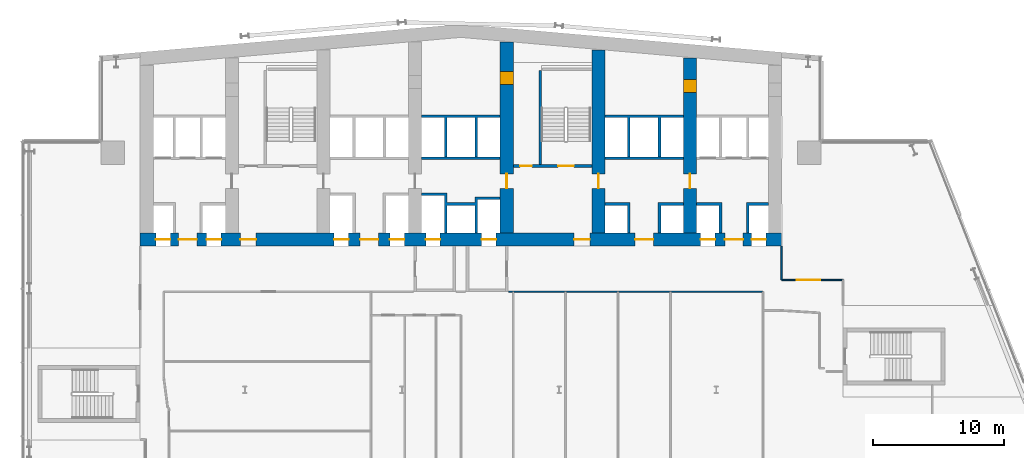
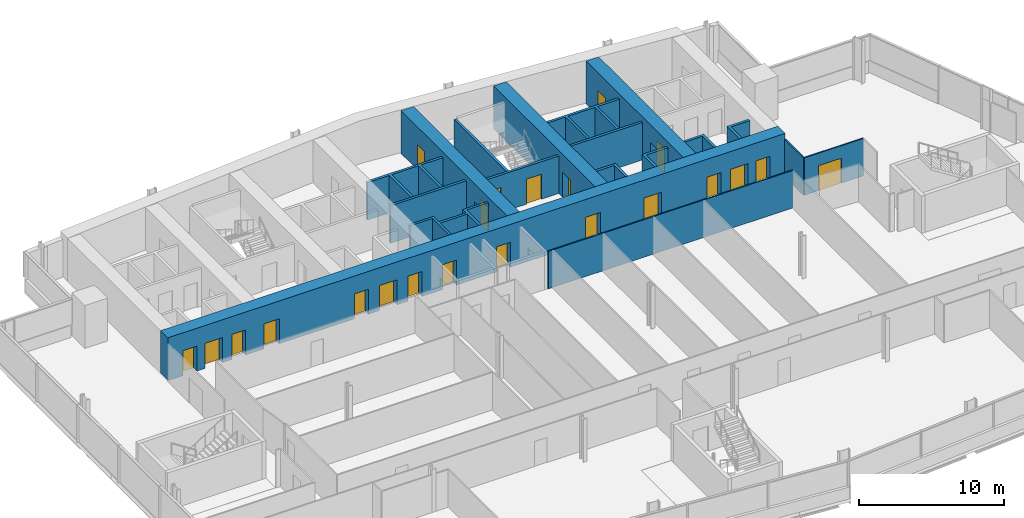
# One storey, part 18 of 25: 22 doors, 18 walls, 22 openings.
"""IFC4 building model written with IfcOpenShell, lengths in metres."""

import ifcopenshell
import ifcopenshell.guid

model = None  # the IFC model being written
_history = None  # IfcOwnerHistory: only IFC2X3 demands one
_inside = {}  # id of a spatial element -> (the spatial element, [elements in it])
_under = {}  # id of a project, library or spatial element -> (it, [spatial elements below it])
_declared = {}  # id of a project -> (the project, [libraries it declares])
_typed = {}  # id of a type object -> (the type object, [elements of that type])
_made_of = {}  # id of a material, layer set ... -> (it, [elements and type objects made of it])


def new_model(schema):
    """Start an empty IFC model of exactly this schema.

    Asked for "IFC4X3", IfcOpenShell would pick the latest addendum, in which some entities
    have other attributes; the version numbers below select the first issue.
    IFC2X3 requires an IfcOwnerHistory on every rooted entity: one is made here for all.
    """
    global model, _history
    if schema == "IFC4X3":
        model = ifcopenshell.file(schema_version=(4, 3, 0, 0))
    else:
        model = ifcopenshell.file(schema=schema)
    _inside.clear()
    _under.clear()
    _declared.clear()
    _typed.clear()
    _made_of.clear()
    _history = None
    if model.schema == "IFC2X3":
        org = make("IfcOrganization", Name="unknown")
        user = make(
            "IfcPersonAndOrganization",
            ThePerson=make("IfcPerson", FamilyName="unknown"),
            TheOrganization=org,
        )
        app = make(
            "IfcApplication",
            ApplicationDeveloper=org,
            Version="unknown",
            ApplicationFullName="unknown",
            ApplicationIdentifier="unknown",
        )
        _history = make(
            "IfcOwnerHistory",
            OwningUser=user,
            OwningApplication=app,
            ChangeAction="ADDED",
            CreationDate=0,
        )
    return model


def make(cls, **values):
    """One entity of the class cls with the attributes given. An attribute that is None is left unset."""
    return model.create_entity(
        cls, **{name: value for name, value in values.items() if value is not None}
    )


def rooted(cls, **values):
    """An entity with a GlobalId (a new one), such as an element, a storey or a relation."""
    return make(cls, GlobalId=ifcopenshell.guid.new(), OwnerHistory=_history, **values)


def si_unit(unit_type, name, prefix=None):
    """IfcSIUnit, for example si_unit("LENGTHUNIT", "METRE", prefix="MILLI")."""
    return make("IfcSIUnit", UnitType=unit_type, Prefix=prefix, Name=name)


def assignment(units):
    """IfcUnitAssignment: the units of a project."""
    return None if units is None else make("IfcUnitAssignment", Units=units)


def point(xyz):
    """IfcCartesianPoint."""
    return None if xyz is None else make("IfcCartesianPoint", Coordinates=xyz)


def direction(xyz):
    """IfcDirection."""
    return None if xyz is None else make("IfcDirection", DirectionRatios=xyz)


def frame(location, z_axis=None, x_axis=None):
    """IfcAxis2Placement3D, a coordinate frame: its origin and axes. An axis left out is left unset."""
    return make(
        "IfcAxis2Placement3D",
        Location=point(location),
        Axis=direction(z_axis),
        RefDirection=direction(x_axis),
    )


def frame_2d(location, x_axis=None):
    """IfcAxis2Placement2D, a coordinate frame in the plane: its origin and x axis."""
    return make(
        "IfcAxis2Placement2D", Location=point(location), RefDirection=direction(x_axis)
    )


def origin():
    """The frame at (0, 0, 0) with its axes left unset."""
    return frame((0.0, 0.0, 0.0))


def place(relative_to, where):
    """IfcLocalPlacement: puts the frame where relative to a parent placement (None: the world)."""
    return make(
        "IfcLocalPlacement", PlacementRelTo=relative_to, RelativePlacement=where
    )


def context(
    kind, dimensions, precision=None, world=None, true_north=None, identifier=None
):
    """IfcGeometricRepresentationContext, for example the 3D "Model" context."""
    return make(
        "IfcGeometricRepresentationContext",
        ContextIdentifier=identifier,
        ContextType=kind,
        CoordinateSpaceDimension=dimensions,
        Precision=precision,
        WorldCoordinateSystem=world,
        TrueNorth=true_north,
    )


def subcontext(parent, identifier, kind, view, scale=None):
    """IfcGeometricRepresentationSubContext, for example "Body" below "Model"."""
    return make(
        "IfcGeometricRepresentationSubContext",
        ContextIdentifier=identifier,
        ContextType=kind,
        ParentContext=parent,
        TargetScale=scale,
        TargetView=view,
    )


def project(units=None, contexts=None):
    """IfcProject with its units and contexts."""
    return rooted(
        "IfcProject",
        Name="project",
        RepresentationContexts=contexts,
        UnitsInContext=assignment(units),
    )


def spatial(cls, under=None, at=None, **own):
    """A site, building, storey or space (cls), placed at a placement, below another one or the project."""
    s = rooted(cls, ObjectPlacement=at, **own)
    if under is not None:
        _under.setdefault(under.id(), (under, []))[1].append(s)
    return s


def polyline(points):
    """IfcPolyline through the points."""
    return make("IfcPolyline", Points=[point(p) for p in points])


def profile(cls, at=None, kind="AREA", **sizes):
    """A parametric profile (cls). Its sizes go by their IFC names, for example OverallWidth=200.0."""
    return make(cls, ProfileType=kind, Position=at, **sizes)


def rectangle(**sizes):
    """IfcRectangleProfileDef."""
    return profile("IfcRectangleProfileDef", **sizes)


def outline(outer, holes=None, kind="AREA"):
    """IfcArbitraryClosedProfileDef: a profile drawn as a closed curve; with holes, ...WithVoids."""
    if holes is None:
        return make("IfcArbitraryClosedProfileDef", ProfileType=kind, OuterCurve=outer)
    return make(
        "IfcArbitraryProfileDefWithVoids",
        ProfileType=kind,
        OuterCurve=outer,
        InnerCurves=holes,
    )


def extrude(swept, where, along, depth):
    """IfcExtrudedAreaSolid: the profile swept, set in the frame where, extruded along a direction by depth."""
    return make(
        "IfcExtrudedAreaSolid",
        SweptArea=swept,
        Position=where,
        ExtrudedDirection=direction(along),
        Depth=depth,
    )


def shape(context_of_items, identifier, shape_type, items):
    """IfcShapeRepresentation: the items that make up one representation, for example the "Body"."""
    return make(
        "IfcShapeRepresentation",
        ContextOfItems=context_of_items,
        RepresentationIdentifier=identifier,
        RepresentationType=shape_type,
        Items=items,
    )


def material(Name=None, Category=None):
    """IfcMaterial."""
    return make("IfcMaterial", Name=Name, Category=Category)


def layer(
    of_material, thickness, ventilated=None, Name=None, Category=None, Priority=None
):
    """IfcMaterialLayer: one layer of a wall or slab, of a material (None: an air gap)."""
    return make(
        "IfcMaterialLayer",
        Material=of_material,
        LayerThickness=thickness,
        IsVentilated=ventilated,
        Name=Name,
        Category=Category,
        Priority=Priority,
    )


def layer_set(layers, Name=None):
    """IfcMaterialLayerSet."""
    return make("IfcMaterialLayerSet", MaterialLayers=layers, LayerSetName=Name)


def made_of(thing, what):
    """Note that an element or type object is made of a material, layer set ...; save() writes the relation."""
    if what is not None:
        _made_of.setdefault(what.id(), (what, []))[1].append(thing)
    return thing


def type_object(cls, material=None, **own):
    """A type object (cls), such as IfcWallType, which elements share."""
    return made_of(rooted(cls, **own), material)


def element(
    cls,
    number,
    at=None,
    inside=None,
    cuts=None,
    type_object=None,
    material=None,
    context=None,
    identifier="Body",
    shape_type=None,
    held_by="IfcProductDefinitionShape",
    body=None,
    shapes=None,
    **own,
):
    """One element of the class cls, such as IfcWall. Its Tag is "e" and its number.

    at: its placement. inside: the storey or other place that contains it. cuts: it is an
    opening in that element (IfcRelVoidsElement). A single representation is given by context,
    identifier, shape_type and body (its items); several are given by shapes. held_by: the class
    of the entity that holds the representations. save() writes the other relations.
    """
    e = rooted(cls, Tag="e%d" % number, ObjectPlacement=at, **own)
    if body is not None:
        shapes = [shape(context, identifier, shape_type, body)]
    if shapes is not None:
        e.Representation = make(held_by, Representations=shapes)
    if inside is not None:
        _inside.setdefault(inside.id(), (inside, []))[1].append(e)
    if cuts is not None:
        rooted(
            "IfcRelVoidsElement", RelatingBuildingElement=cuts, RelatedOpeningElement=e
        )
    if type_object is not None:
        _typed.setdefault(type_object.id(), (type_object, []))[1].append(e)
    return made_of(e, material)


def fill(opening, filler):
    """IfcRelFillsElement: the door or window that sits in an opening."""
    return rooted(
        "IfcRelFillsElement",
        RelatingOpeningElement=opening,
        RelatedBuildingElement=filler,
    )


def aggregate(whole, parts):
    """IfcRelAggregates: a whole, such as a stair, and the parts it consists of."""
    return rooted("IfcRelAggregates", RelatingObject=whole, RelatedObjects=parts)


def save(model, path):
    """Write the relations noted so far, then the file.

    IfcRelAggregates (storeys below a building ...), IfcRelContainedInSpatialStructure (elements
    in a storey), IfcRelDefinesByType, IfcRelAssociatesMaterial and IfcRelDeclares: one each for
    every whole, place, type object, material and project.
    """
    for whole, parts in _under.values():
        aggregate(whole, parts)
    for where, things in _inside.values():
        rooted(
            "IfcRelContainedInSpatialStructure",
            RelatedElements=things,
            RelatingStructure=where,
        )
    for kind, things in _typed.values():
        rooted("IfcRelDefinesByType", RelatedObjects=things, RelatingType=kind)
    for what, things in _made_of.values():
        rooted("IfcRelAssociatesMaterial", RelatedObjects=things, RelatingMaterial=what)
    for by, libraries in _declared.values():
        rooted("IfcRelDeclares", RelatingContext=by, RelatedDefinitions=libraries)
    model.write(path)


model = new_model("IFC4")

# Units and contexts
model_context = context("Model", 3, precision=1e-05, world=origin(), true_north=direction((0.0, 1.0)))
body_context = subcontext(model_context, "Body", "Model", "MODEL_VIEW")
ifc_project = project(units=[si_unit("LENGTHUNIT", "METRE"), si_unit("AREAUNIT", "SQUARE_METRE"), si_unit("VOLUMEUNIT", "CUBIC_METRE"), si_unit("PLANEANGLEUNIT", "RADIAN"), si_unit("MASSUNIT", "GRAM", prefix="KILO")], contexts=[model_context])

# Site, building, storey
site_placement = place(None, origin())
site = spatial("IfcSite", under=ifc_project, at=site_placement, CompositionType="ELEMENT")
building_placement = place(site_placement, origin())
building = spatial("IfcBuilding", under=site, at=building_placement, Name="Wharfspan Tower", CompositionType="ELEMENT")
storey_placement = place(building_placement, frame((0.0, 0.0, 143.5)))
storey = spatial("IfcBuildingStorey", under=building, at=storey_placement, Name="L34", CompositionType="ELEMENT", Elevation=143.5)

# Wall
ifc_material_1 = material(Name="Gypsum board on steel studs", Category="steel")
ifc_layer_1 = layer(ifc_material_1, 0.100098)
ifc_layer_set_1 = layer_set([ifc_layer_1], Name="Gypsum board on steel studs")
wall_type_1 = type_object("IfcWallType", Name="Compartment wall 100 EI 60", PredefinedType="PARTITIONING", material=ifc_layer_set_1)
wall_1_placement = place(storey_placement, frame((65.0, 31.399902, 0.0), z_axis=(0.0, 0.0, 1.0), x_axis=(0.0, 1.0, 0.0)))
element("IfcWall", 1, at=wall_1_placement, inside=storey, type_object=wall_type_1, Name="Partition L34.w037", PredefinedType="PARTITIONING", context=body_context, shape_type="SweptSolid", body=[
    extrude(rectangle(XDim=2.580078, YDim=0.100098, at=frame_2d((1.290039, 0.0))), origin(), (0.0, 0.0, 1.0), 3.149902),
])

# Wall, opening, door
wall_2_placement = place(storey_placement, frame((65.0, 31.399902, 0.0), z_axis=(0.0, 0.0, 1.0), x_axis=(1.0, 0.0, 0.0)))
wall_2 = element("IfcWall", 2, at=wall_2_placement, inside=storey, type_object=wall_type_1, Name="Partition L34.w038", PredefinedType="PARTITIONING", context=body_context, shape_type="SweptSolid", body=[
    extrude(rectangle(XDim=4.689941, YDim=0.100098, at=frame_2d((2.344971, 0.0))), origin(), (0.0, 0.0, 1.0), 3.149902),
])
opening_1_placement = place(wall_2_placement, frame((1.139893, 0.0, 0.0)))
opening_1 = element("IfcOpeningElement", 3, at=opening_1_placement, cuts=wall_2, Name="Opening B6-21", PredefinedType="OPENING", context=body_context, shape_type="SweptSolid", body=[
    extrude(rectangle(XDim=1.800049, YDim=2.100098, at=frame_2d((0.899902, 1.050049))), frame((0.0, 0.060059, 0.0), z_axis=(0.0, -1.0, 0.0), x_axis=(1.0, 0.0, 0.0)), (0.0, 0.0, 1.0), 0.120117),
])
ifc_material_2 = material(Name="Fire-rated timber door leaf in steel frame", Category="steel")
door_type_1 = type_object("IfcDoorType", Name="Door 1800 FD30S Double", OperationType="DOUBLE_DOOR_SINGLE_SWING", PredefinedType="DOOR", material=ifc_material_2)
door_1_placement = place(opening_1_placement, origin())
door_1 = element("IfcDoor", 4, at=door_1_placement, inside=storey, type_object=door_type_1, Name="Door B6-21", OperationType="DOUBLE_DOOR_SINGLE_SWING", OverallHeight=2.100098, OverallWidth=1.800049, PredefinedType="DOOR", context=body_context, shape_type="SweptSolid", body=[
    extrude(rectangle(XDim=1.800049, YDim=2.100098, at=frame_2d((0.899902, 1.050049))), frame((0.0, 0.024902, 0.0), z_axis=(0.0, -1.0, 0.0), x_axis=(1.0, 0.0, 0.0)), (0.0, 0.0, 1.0), 0.050049),
])
fill(opening_1, door_1)

# Wall
wall_3_placement = place(storey_placement, frame((44.149902, 30.5, 0.0), z_axis=(0.0, 0.0, 1.0), x_axis=(1.0, 0.0, 0.0)))
element("IfcWall", 5, at=wall_3_placement, inside=storey, type_object=wall_type_1, Name="Partition L34.w010 (3)", PredefinedType="PARTITIONING", context=body_context, shape_type="SweptSolid", body=[
    extrude(rectangle(XDim=19.425049, YDim=0.100098, at=frame_2d((9.712402, 0.0))), origin(), (0.0, 0.0, 1.0), 3.149902),
])

# Wall, openings, doors
ifc_material_3 = material(Name="Concrete C70/85", Category="concrete")
ifc_layer_2 = layer(ifc_material_3, 1.0)
ifc_layer_set_2 = layer_set([ifc_layer_2], Name="Concrete C70/85")
wall_type_2 = type_object("IfcWallType", Name="Core wall 1000 C70/85", PredefinedType="SHEAR", material=ifc_layer_set_2)
wall_4_placement = place(storey_placement, frame((16.0, 34.5, 0.0), z_axis=(0.0, 0.0, 1.0), x_axis=(1.0, 0.0, 0.0)))
wall_4 = element("IfcWall", 6, at=wall_4_placement, inside=storey, type_object=wall_type_2, Name="Core front wall L34", PredefinedType="SHEAR", context=body_context, shape_type="SweptSolid", body=[
    extrude(rectangle(XDim=49.0, YDim=1.0, at=frame_2d((24.5, 0.0))), origin(), (0.0, 0.0, 1.0), 3.600098),
])
opening_2_placement = place(wall_4_placement, frame((1.199951, 0.0, 0.0)))
opening_2 = element("IfcOpeningElement", 7, at=opening_2_placement, cuts=wall_4, Name="Opening LD.LA1.L34", PredefinedType="OPENING", context=body_context, shape_type="SweptSolid", body=[
    extrude(rectangle(XDim=1.100098, YDim=2.100098, at=frame_2d((0.550049, 1.050049))), frame((0.0, 0.51001, 0.0), z_axis=(0.0, -1.0, 0.0), x_axis=(1.0, 0.0, 0.0)), (0.0, 0.0, 1.0), 1.02002),
])
opening_3_placement = place(wall_4_placement, frame((5.083252, 0.0, 0.0)))
opening_3 = element("IfcOpeningElement", 8, at=opening_3_placement, cuts=wall_4, Name="Opening LD.LA2.L34", PredefinedType="OPENING", context=body_context, shape_type="SweptSolid", body=[
    extrude(rectangle(XDim=1.100098, YDim=2.100098, at=frame_2d((0.550049, 1.050049))), frame((0.0, 0.51001, 0.0), z_axis=(0.0, -1.0, 0.0), x_axis=(1.0, 0.0, 0.0)), (0.0, 0.0, 1.0), 1.02002),
])
opening_4_placement = place(wall_4_placement, frame((2.93335, 0.0, 0.0)))
opening_4 = element("IfcOpeningElement", 9, at=opening_4_placement, cuts=wall_4, Name="Opening HD34.1", PredefinedType="OPENING", context=body_context, shape_type="SweptSolid", body=[
    extrude(rectangle(XDim=1.399902, YDim=2.100098, at=frame_2d((0.699951, 1.050049))), frame((0.0, 0.51001, 0.0), z_axis=(0.0, -1.0, 0.0), x_axis=(1.0, 0.0, 0.0)), (0.0, 0.0, 1.0), 1.02002),
])
opening_5_placement = place(wall_4_placement, frame((7.649902, 0.0, 0.0)))
opening_5 = element("IfcOpeningElement", 10, at=opening_5_placement, cuts=wall_4, Name="Opening SV2.L34", PredefinedType="OPENING", context=body_context, shape_type="SweptSolid", body=[
    extrude(rectangle(XDim=1.199951, YDim=2.100098, at=frame_2d((0.600098, 1.050049))), frame((0.0, 0.51001, 0.0), z_axis=(0.0, -1.0, 0.0), x_axis=(1.0, 0.0, 0.0)), (0.0, 0.0, 1.0), 1.02002),
])
opening_6_placement = place(wall_4_placement, frame((14.81665, 0.0, 0.0)))
opening_6 = element("IfcOpeningElement", 11, at=opening_6_placement, cuts=wall_4, Name="Opening LD.SL1.L34", PredefinedType="OPENING", context=body_context, shape_type="SweptSolid", body=[
    extrude(rectangle(XDim=1.100098, YDim=2.100098, at=frame_2d((0.550049, 1.050049))), frame((0.0, 0.51001, 0.0), z_axis=(0.0, -1.0, 0.0), x_axis=(1.0, 0.0, 0.0)), (0.0, 0.0, 1.0), 1.02002),
])
opening_7_placement = place(wall_4_placement, frame((19.083252, 0.0, 0.0)))
opening_7 = element("IfcOpeningElement", 12, at=opening_7_placement, cuts=wall_4, Name="Opening LD.SL2.L34", PredefinedType="OPENING", context=body_context, shape_type="SweptSolid", body=[
    extrude(rectangle(XDim=1.100098, YDim=2.100098, at=frame_2d((0.550049, 1.050049))), frame((0.0, 0.51001, 0.0), z_axis=(0.0, -1.0, 0.0), x_axis=(1.0, 0.0, 0.0)), (0.0, 0.0, 1.0), 1.02002),
])
opening_8_placement = place(wall_4_placement, frame((16.800049, 0.0, 0.0)))
opening_8 = element("IfcOpeningElement", 13, at=opening_8_placement, cuts=wall_4, Name="Opening HD34.3", PredefinedType="OPENING", context=body_context, shape_type="SweptSolid", body=[
    extrude(rectangle(XDim=1.399902, YDim=2.100098, at=frame_2d((0.699951, 1.050049))), frame((0.0, 0.51001, 0.0), z_axis=(0.0, -1.0, 0.0), x_axis=(1.0, 0.0, 0.0)), (0.0, 0.0, 1.0), 1.02002),
])
opening_9_placement = place(wall_4_placement, frame((21.81665, 0.0, 0.0)))
opening_9 = element("IfcOpeningElement", 14, at=opening_9_placement, cuts=wall_4, Name="Opening LD.FF1.L34", PredefinedType="OPENING", context=body_context, shape_type="SweptSolid", body=[
    extrude(rectangle(XDim=1.100098, YDim=2.100098, at=frame_2d((0.550049, 1.050049))), frame((0.0, 0.51001, 0.0), z_axis=(0.0, -1.0, 0.0), x_axis=(1.0, 0.0, 0.0)), (0.0, 0.0, 1.0), 1.02002),
])
opening_10_placement = place(wall_4_placement, frame((26.083252, 0.0, 0.0)))
opening_10 = element("IfcOpeningElement", 15, at=opening_10_placement, cuts=wall_4, Name="Opening LD.FF2.L34", PredefinedType="OPENING", context=body_context, shape_type="SweptSolid", body=[
    extrude(rectangle(XDim=1.100098, YDim=2.100098, at=frame_2d((0.550049, 1.050049))), frame((0.0, 0.51001, 0.0), z_axis=(0.0, -1.0, 0.0), x_axis=(1.0, 0.0, 0.0)), (0.0, 0.0, 1.0), 1.02002),
])
opening_11_placement = place(wall_4_placement, frame((33.149902, 0.0, 0.0)))
opening_11 = element("IfcOpeningElement", 16, at=opening_11_placement, cuts=wall_4, Name="Opening SV5.L34", PredefinedType="OPENING", context=body_context, shape_type="SweptSolid", body=[
    extrude(rectangle(XDim=1.199951, YDim=2.100098, at=frame_2d((0.600098, 1.050049))), frame((0.0, 0.51001, 0.0), z_axis=(0.0, -1.0, 0.0), x_axis=(1.0, 0.0, 0.0)), (0.0, 0.0, 1.0), 1.02002),
])
opening_12_placement = place(wall_4_placement, frame((37.800049, 0.0, 0.0)))
opening_12 = element("IfcOpeningElement", 17, at=opening_12_placement, cuts=wall_4, Name="Opening HD34.6", PredefinedType="OPENING", context=body_context, shape_type="SweptSolid", body=[
    extrude(rectangle(XDim=1.399902, YDim=2.100098, at=frame_2d((0.699951, 1.050049))), frame((0.0, 0.51001, 0.0), z_axis=(0.0, -1.0, 0.0), x_axis=(1.0, 0.0, 0.0)), (0.0, 0.0, 1.0), 1.02002),
])
opening_13_placement = place(wall_4_placement, frame((42.81665, 0.0, 0.0)))
opening_13 = element("IfcOpeningElement", 18, at=opening_13_placement, cuts=wall_4, Name="Opening LD.LA6.L34", PredefinedType="OPENING", context=body_context, shape_type="SweptSolid", body=[
    extrude(rectangle(XDim=1.100098, YDim=2.100098, at=frame_2d((0.550049, 1.050049))), frame((0.0, 0.51001, 0.0), z_axis=(0.0, -1.0, 0.0), x_axis=(1.0, 0.0, 0.0)), (0.0, 0.0, 1.0), 1.02002),
])
opening_14_placement = place(wall_4_placement, frame((46.699951, 0.0, 0.0)))
opening_14 = element("IfcOpeningElement", 19, at=opening_14_placement, cuts=wall_4, Name="Opening LD.LA7.L34", PredefinedType="OPENING", context=body_context, shape_type="SweptSolid", body=[
    extrude(rectangle(XDim=1.100098, YDim=2.100098, at=frame_2d((0.550049, 1.050049))), frame((0.0, 0.51001, 0.0), z_axis=(0.0, -1.0, 0.0), x_axis=(1.0, 0.0, 0.0)), (0.0, 0.0, 1.0), 1.02002),
])
opening_15_placement = place(wall_4_placement, frame((44.666748, 0.0, 0.0)))
opening_15 = element("IfcOpeningElement", 20, at=opening_15_placement, cuts=wall_4, Name="Opening HD34.7", PredefinedType="OPENING", context=body_context, shape_type="SweptSolid", body=[
    extrude(rectangle(XDim=1.399902, YDim=2.100098, at=frame_2d((0.699951, 1.050049))), frame((0.0, 0.51001, 0.0), z_axis=(0.0, -1.0, 0.0), x_axis=(1.0, 0.0, 0.0)), (0.0, 0.0, 1.0), 1.02002),
])
ifc_material_4 = material(Name="Steel door leaf", Category="steel")
door_type_2 = type_object("IfcDoorType", Name="Hall entry door 1400x2100", OperationType="DOUBLE_DOOR_SINGLE_SWING", PredefinedType="DOOR", material=ifc_material_4)
door_2_placement = place(opening_4_placement, origin())
door_2 = element("IfcDoor", 21, at=door_2_placement, inside=storey, type_object=door_type_2, Name="d:L34:1:hd1", OperationType="DOUBLE_DOOR_SINGLE_SWING", OverallHeight=2.100098, OverallWidth=1.399902, PredefinedType="DOOR", context=body_context, shape_type="SweptSolid", body=[
    extrude(rectangle(XDim=1.399902, YDim=2.100098, at=frame_2d((0.699951, 1.050049))), frame((0.0, 0.024902, 0.0), z_axis=(0.0, -1.0, 0.0), x_axis=(1.0, 0.0, 0.0)), (0.0, 0.0, 1.0), 0.050049),
])
fill(opening_4, door_2)
door_3_placement = place(opening_8_placement, origin())
door_3 = element("IfcDoor", 22, at=door_3_placement, inside=storey, type_object=door_type_2, Name="d:L34:3:hd3", OperationType="DOUBLE_DOOR_SINGLE_SWING", OverallHeight=2.100098, OverallWidth=1.399902, PredefinedType="DOOR", context=body_context, shape_type="SweptSolid", body=[
    extrude(rectangle(XDim=1.399902, YDim=2.100098, at=frame_2d((0.699951, 1.050049))), frame((0.0, 0.024902, 0.0), z_axis=(0.0, -1.0, 0.0), x_axis=(1.0, 0.0, 0.0)), (0.0, 0.0, 1.0), 0.050049),
])
fill(opening_8, door_3)
door_4_placement = place(opening_12_placement, origin())
door_4 = element("IfcDoor", 23, at=door_4_placement, inside=storey, type_object=door_type_2, Name="d:L34:6:hd6", OperationType="DOUBLE_DOOR_SINGLE_SWING", OverallHeight=2.100098, OverallWidth=1.399902, PredefinedType="DOOR", context=body_context, shape_type="SweptSolid", body=[
    extrude(rectangle(XDim=1.399902, YDim=2.100098, at=frame_2d((0.699951, 1.050049))), frame((0.0, 0.024902, 0.0), z_axis=(0.0, -1.0, 0.0), x_axis=(1.0, 0.0, 0.0)), (0.0, 0.0, 1.0), 0.050049),
])
fill(opening_12, door_4)
door_5_placement = place(opening_15_placement, origin())
door_5 = element("IfcDoor", 24, at=door_5_placement, inside=storey, type_object=door_type_2, Name="d:L34:7:hd7", OperationType="DOUBLE_DOOR_SINGLE_SWING", OverallHeight=2.100098, OverallWidth=1.399902, PredefinedType="DOOR", context=body_context, shape_type="SweptSolid", body=[
    extrude(rectangle(XDim=1.399902, YDim=2.100098, at=frame_2d((0.699951, 1.050049))), frame((0.0, 0.024902, 0.0), z_axis=(0.0, -1.0, 0.0), x_axis=(1.0, 0.0, 0.0)), (0.0, 0.0, 1.0), 0.050049),
])
fill(opening_15, door_5)
ifc_material_5 = material(Name="Stainless steel", Category="steel")
door_type_3 = type_object("IfcDoorType", Name="Lift landing door 1100x2100", OperationType="DOUBLE_DOOR_SLIDING", PredefinedType="DOOR", material=ifc_material_5)
door_6_placement = place(opening_2_placement, origin())
door_6 = element("IfcDoor", 25, at=door_6_placement, inside=storey, type_object=door_type_3, Name="Landing door LA1 L34", OperationType="DOUBLE_DOOR_SLIDING", OverallHeight=2.100098, OverallWidth=1.100098, PredefinedType="DOOR", context=body_context, shape_type="SweptSolid", body=[
    extrude(rectangle(XDim=1.100098, YDim=2.100098, at=frame_2d((0.550049, 1.050049))), frame((0.0, 0.024902, 0.0), z_axis=(0.0, -1.0, 0.0), x_axis=(1.0, 0.0, 0.0)), (0.0, 0.0, 1.0), 0.050049),
])
fill(opening_2, door_6)
door_7_placement = place(opening_3_placement, origin())
door_7 = element("IfcDoor", 26, at=door_7_placement, inside=storey, type_object=door_type_3, Name="Landing door LA2 L34", OperationType="DOUBLE_DOOR_SLIDING", OverallHeight=2.100098, OverallWidth=1.100098, PredefinedType="DOOR", context=body_context, shape_type="SweptSolid", body=[
    extrude(rectangle(XDim=1.100098, YDim=2.100098, at=frame_2d((0.550049, 1.050049))), frame((0.0, 0.024902, 0.0), z_axis=(0.0, -1.0, 0.0), x_axis=(1.0, 0.0, 0.0)), (0.0, 0.0, 1.0), 0.050049),
])
fill(opening_3, door_7)
door_8_placement = place(opening_6_placement, origin())
door_8 = element("IfcDoor", 27, at=door_8_placement, inside=storey, type_object=door_type_3, Name="Landing door SL1 L34", OperationType="DOUBLE_DOOR_SLIDING", OverallHeight=2.100098, OverallWidth=1.100098, PredefinedType="DOOR", context=body_context, shape_type="SweptSolid", body=[
    extrude(rectangle(XDim=1.100098, YDim=2.100098, at=frame_2d((0.550049, 1.050049))), frame((0.0, 0.024902, 0.0), z_axis=(0.0, -1.0, 0.0), x_axis=(1.0, 0.0, 0.0)), (0.0, 0.0, 1.0), 0.050049),
])
fill(opening_6, door_8)
door_9_placement = place(opening_7_placement, origin())
door_9 = element("IfcDoor", 28, at=door_9_placement, inside=storey, type_object=door_type_3, Name="Landing door SL2 L34", OperationType="DOUBLE_DOOR_SLIDING", OverallHeight=2.100098, OverallWidth=1.100098, PredefinedType="DOOR", context=body_context, shape_type="SweptSolid", body=[
    extrude(rectangle(XDim=1.100098, YDim=2.100098, at=frame_2d((0.550049, 1.050049))), frame((0.0, 0.024902, 0.0), z_axis=(0.0, -1.0, 0.0), x_axis=(1.0, 0.0, 0.0)), (0.0, 0.0, 1.0), 0.050049),
])
fill(opening_7, door_9)
door_10_placement = place(opening_9_placement, origin())
door_10 = element("IfcDoor", 29, at=door_10_placement, inside=storey, type_object=door_type_3, Name="Landing door FF1 L34", OperationType="DOUBLE_DOOR_SLIDING", OverallHeight=2.100098, OverallWidth=1.100098, PredefinedType="DOOR", context=body_context, shape_type="SweptSolid", body=[
    extrude(rectangle(XDim=1.100098, YDim=2.100098, at=frame_2d((0.550049, 1.050049))), frame((0.0, 0.024902, 0.0), z_axis=(0.0, -1.0, 0.0), x_axis=(1.0, 0.0, 0.0)), (0.0, 0.0, 1.0), 0.050049),
])
fill(opening_9, door_10)
door_11_placement = place(opening_10_placement, origin())
door_11 = element("IfcDoor", 30, at=door_11_placement, inside=storey, type_object=door_type_3, Name="Landing door FF2 L34", OperationType="DOUBLE_DOOR_SLIDING", OverallHeight=2.100098, OverallWidth=1.100098, PredefinedType="DOOR", context=body_context, shape_type="SweptSolid", body=[
    extrude(rectangle(XDim=1.100098, YDim=2.100098, at=frame_2d((0.550049, 1.050049))), frame((0.0, 0.024902, 0.0), z_axis=(0.0, -1.0, 0.0), x_axis=(1.0, 0.0, 0.0)), (0.0, 0.0, 1.0), 0.050049),
])
fill(opening_10, door_11)
door_12_placement = place(opening_13_placement, origin())
door_12 = element("IfcDoor", 31, at=door_12_placement, inside=storey, type_object=door_type_3, Name="Landing door LA6 L34", OperationType="DOUBLE_DOOR_SLIDING", OverallHeight=2.100098, OverallWidth=1.100098, PredefinedType="DOOR", context=body_context, shape_type="SweptSolid", body=[
    extrude(rectangle(XDim=1.100098, YDim=2.100098, at=frame_2d((0.550049, 1.050049))), frame((0.0, 0.024902, 0.0), z_axis=(0.0, -1.0, 0.0), x_axis=(1.0, 0.0, 0.0)), (0.0, 0.0, 1.0), 0.050049),
])
fill(opening_13, door_12)
door_13_placement = place(opening_14_placement, origin())
door_13 = element("IfcDoor", 32, at=door_13_placement, inside=storey, type_object=door_type_3, Name="Landing door LA7 L34", OperationType="DOUBLE_DOOR_SLIDING", OverallHeight=2.100098, OverallWidth=1.100098, PredefinedType="DOOR", context=body_context, shape_type="SweptSolid", body=[
    extrude(rectangle(XDim=1.100098, YDim=2.100098, at=frame_2d((0.550049, 1.050049))), frame((0.0, 0.024902, 0.0), z_axis=(0.0, -1.0, 0.0), x_axis=(1.0, 0.0, 0.0)), (0.0, 0.0, 1.0), 0.050049),
])
fill(opening_14, door_13)
door_type_4 = type_object("IfcDoorType", Name="Stair door 1200x2100", OperationType="SINGLE_SWING_LEFT", PredefinedType="DOOR", material=ifc_material_4)
door_14_placement = place(opening_5_placement, origin())
door_14 = element("IfcDoor", 33, at=door_14_placement, inside=storey, type_object=door_type_4, Name="vd:L34:2", OperationType="SINGLE_SWING_LEFT", OverallHeight=2.100098, OverallWidth=1.199951, PredefinedType="DOOR", context=body_context, shape_type="SweptSolid", body=[
    extrude(rectangle(XDim=1.199951, YDim=2.100098, at=frame_2d((0.600098, 1.050049))), frame((0.0, 0.024902, 0.0), z_axis=(0.0, -1.0, 0.0), x_axis=(1.0, 0.0, 0.0)), (0.0, 0.0, 1.0), 0.050049),
])
fill(opening_5, door_14)
door_15_placement = place(opening_11_placement, origin())
door_15 = element("IfcDoor", 34, at=door_15_placement, inside=storey, type_object=door_type_4, Name="vd:L34:5", OperationType="SINGLE_SWING_LEFT", OverallHeight=2.100098, OverallWidth=1.199951, PredefinedType="DOOR", context=body_context, shape_type="SweptSolid", body=[
    extrude(rectangle(XDim=1.199951, YDim=2.100098, at=frame_2d((0.600098, 1.050049))), frame((0.0, 0.024902, 0.0), z_axis=(0.0, -1.0, 0.0), x_axis=(1.0, 0.0, 0.0)), (0.0, 0.0, 1.0), 0.050049),
])
fill(opening_11, door_15)

wall_5_placement = place(storey_placement, frame((44.0, 35.0, 0.0), z_axis=(0.0, 0.0, 1.0), x_axis=(0.0, 1.0, 0.0)))
wall_5 = element("IfcWall", 35, at=wall_5_placement, inside=storey, type_object=wall_type_2, Name="Core cross wall X5 L34", PredefinedType="SHEAR", context=body_context, shape_type="SweptSolid", body=[
    extrude(rectangle(XDim=14.577148, YDim=1.0, at=frame_2d((7.288574, 0.0))), origin(), (0.0, 0.0, 1.0), 3.600098),
])
opening_16_placement = place(wall_5_placement, frame((11.322266, 0.0, 0.0)))
opening_16 = element("IfcOpeningElement", 36, at=opening_16_placement, cuts=wall_5, Name="Opening CD34.4X", PredefinedType="OPENING", context=body_context, shape_type="SweptSolid", body=[
    extrude(rectangle(XDim=1.0, YDim=2.100098, at=frame_2d((0.5, 1.050049))), frame((0.0, 0.51001, 0.0), z_axis=(0.0, -1.0, 0.0), x_axis=(1.0, 0.0, 0.0)), (0.0, 0.0, 1.0), 1.02002),
])
opening_17_placement = place(wall_5_placement, frame((3.399902, 0.0, 0.0)))
opening_17 = element("IfcOpeningElement", 37, at=opening_17_placement, cuts=wall_5, Name="Opening CC34.5", PredefinedType="OPENING", context=body_context, shape_type="SweptSolid", body=[
    extrude(rectangle(XDim=1.100098, YDim=2.100098, at=frame_2d((0.550049, 1.050049))), frame((0.0, 0.51001, 0.0), z_axis=(0.0, -1.0, 0.0), x_axis=(1.0, 0.0, 0.0)), (0.0, 0.0, 1.0), 1.02002),
])
door_type_5 = type_object("IfcDoorType", Name="Core corridor door 1100x2100", OperationType="SINGLE_SWING_LEFT", PredefinedType="DOOR", material=ifc_material_4)
door_16_placement = place(opening_17_placement, origin())
door_16 = element("IfcDoor", 38, at=door_16_placement, inside=storey, type_object=door_type_5, Name="xd:L34:5", OperationType="SINGLE_SWING_LEFT", OverallHeight=2.100098, OverallWidth=1.100098, PredefinedType="DOOR", context=body_context, shape_type="SweptSolid", body=[
    extrude(rectangle(XDim=1.100098, YDim=2.100098, at=frame_2d((0.550049, 1.050049))), frame((0.0, 0.024902, 0.0), z_axis=(0.0, -1.0, 0.0), x_axis=(1.0, 0.0, 0.0)), (0.0, 0.0, 1.0), 0.050049),
])
fill(opening_17, door_16)
door_type_6 = type_object("IfcDoorType", Name="Core room door 1000x2100", OperationType="SINGLE_SWING_LEFT", PredefinedType="DOOR", material=ifc_material_4)
door_17_placement = place(opening_16_placement, origin())
door_17 = element("IfcDoor", 39, at=door_17_placement, inside=storey, type_object=door_type_6, Name="d:L34:4:sx", OperationType="SINGLE_SWING_LEFT", OverallHeight=2.100098, OverallWidth=1.0, PredefinedType="DOOR", context=body_context, shape_type="SweptSolid", body=[
    extrude(rectangle(XDim=1.0, YDim=2.100098, at=frame_2d((0.5, 1.050049))), frame((0.0, 0.499756, 0.0), z_axis=(0.0, -1.0, 0.0), x_axis=(1.0, 0.0, 0.0)), (0.0, 0.0, 1.0), 0.999512),
])
fill(opening_16, door_17)

# Wall, opening, door
wall_6_placement = place(storey_placement, frame((51.0, 35.0, 0.0), z_axis=(0.0, 0.0, 1.0), x_axis=(0.0, 1.0, 0.0)))
wall_6 = element("IfcWall", 40, at=wall_6_placement, inside=storey, type_object=wall_type_2, Name="Core cross wall X6 L34", PredefinedType="SHEAR", context=body_context, shape_type="SweptSolid", body=[
    extrude(rectangle(XDim=13.9646, YDim=1.0, at=frame_2d((6.982422, 0.0))), origin(), (0.0, 0.0, 1.0), 3.600098),
])
opening_18_placement = place(wall_6_placement, frame((3.399902, 0.0, 0.0)))
opening_18 = element("IfcOpeningElement", 41, at=opening_18_placement, cuts=wall_6, Name="Opening CC34.6", PredefinedType="OPENING", context=body_context, shape_type="SweptSolid", body=[
    extrude(rectangle(XDim=1.100098, YDim=2.100098, at=frame_2d((0.550049, 1.050049))), frame((0.0, 0.51001, 0.0), z_axis=(0.0, -1.0, 0.0), x_axis=(1.0, 0.0, 0.0)), (0.0, 0.0, 1.0), 1.02002),
])
door_18_placement = place(opening_18_placement, origin())
door_18 = element("IfcDoor", 42, at=door_18_placement, inside=storey, type_object=door_type_5, Name="xd:L34:6", OperationType="SINGLE_SWING_RIGHT", OverallHeight=2.100098, OverallWidth=1.100098, PredefinedType="DOOR", context=body_context, shape_type="SweptSolid", body=[
    extrude(rectangle(XDim=1.100098, YDim=2.100098, at=frame_2d((0.550049, 1.050049))), frame((0.0, 0.024902, 0.0), z_axis=(0.0, -1.0, 0.0), x_axis=(1.0, 0.0, 0.0)), (0.0, 0.0, 1.0), 0.050049),
])
fill(opening_18, door_18)

# Wall, openings, doors
wall_7_placement = place(storey_placement, frame((58.0, 35.0, 0.0), z_axis=(0.0, 0.0, 1.0), x_axis=(0.0, 1.0, 0.0)))
wall_7 = element("IfcWall", 43, at=wall_7_placement, inside=storey, type_object=wall_type_2, Name="Core cross wall X7 L34", PredefinedType="SHEAR", context=body_context, shape_type="SweptSolid", body=[
    extrude(rectangle(XDim=13.352295, YDim=1.0, at=frame_2d((6.67627, 0.0))), origin(), (0.0, 0.0, 1.0), 3.600098),
])
opening_19_placement = place(wall_7_placement, frame((10.709961, 0.0, 0.0)))
opening_19 = element("IfcOpeningElement", 44, at=opening_19_placement, cuts=wall_7, Name="Opening CD34.6X", PredefinedType="OPENING", context=body_context, shape_type="SweptSolid", body=[
    extrude(rectangle(XDim=1.0, YDim=2.100098, at=frame_2d((0.5, 1.050049))), frame((0.0, 0.51001, 0.0), z_axis=(0.0, -1.0, 0.0), x_axis=(1.0, 0.0, 0.0)), (0.0, 0.0, 1.0), 1.02002),
])
opening_20_placement = place(wall_7_placement, frame((3.399902, 0.0, 0.0)))
opening_20 = element("IfcOpeningElement", 45, at=opening_20_placement, cuts=wall_7, Name="Opening CC34.7", PredefinedType="OPENING", context=body_context, shape_type="SweptSolid", body=[
    extrude(rectangle(XDim=1.100098, YDim=2.100098, at=frame_2d((0.550049, 1.050049))), frame((0.0, 0.51001, 0.0), z_axis=(0.0, -1.0, 0.0), x_axis=(1.0, 0.0, 0.0)), (0.0, 0.0, 1.0), 1.02002),
])
door_19_placement = place(opening_20_placement, origin())
door_19 = element("IfcDoor", 46, at=door_19_placement, inside=storey, type_object=door_type_5, Name="xd:L34:7", OperationType="SINGLE_SWING_LEFT", OverallHeight=2.100098, OverallWidth=1.100098, PredefinedType="DOOR", context=body_context, shape_type="SweptSolid", body=[
    extrude(rectangle(XDim=1.100098, YDim=2.100098, at=frame_2d((0.550049, 1.050049))), frame((0.0, 0.024902, 0.0), z_axis=(0.0, -1.0, 0.0), x_axis=(1.0, 0.0, 0.0)), (0.0, 0.0, 1.0), 0.050049),
])
fill(opening_20, door_19)
door_20_placement = place(opening_19_placement, origin())
door_20 = element("IfcDoor", 47, at=door_20_placement, inside=storey, type_object=door_type_6, Name="d:L34:6:sx", OperationType="SINGLE_SWING_LEFT", OverallHeight=2.100098, OverallWidth=1.0, PredefinedType="DOOR", context=body_context, shape_type="SweptSolid", body=[
    extrude(rectangle(XDim=1.0, YDim=2.100098, at=frame_2d((0.5, 1.050049))), frame((0.0, 0.499756, 0.0), z_axis=(0.0, -1.0, 0.0), x_axis=(1.0, 0.0, 0.0)), (0.0, 0.0, 1.0), 0.999512),
])
fill(opening_19, door_20)

# Walls
ifc_material_6 = material(Name="Concrete C30/37", Category="concrete")
ifc_layer_3 = layer(ifc_material_6, 0.199951)
ifc_layer_set_3 = layer_set([ifc_layer_3], Name="Concrete C30/37")
wall_type_3 = type_object("IfcWallType", Name="Lift shaft wall 200", PredefinedType="PARTITIONING", material=ifc_layer_set_3)
wall_8_placement = place(storey_placement, frame((37.5, 40.699951, 0.0), z_axis=(0.0, 0.0, 1.0), x_axis=(1.0, 0.0, 0.0)))
element("IfcWall", 48, at=wall_8_placement, inside=storey, type_object=wall_type_3, Name="sw:L34:RF4", PredefinedType="PARTITIONING", context=body_context, shape_type="SweptSolid", body=[
    extrude(rectangle(XDim=6.0, YDim=0.199951, at=frame_2d((3.0, 0.0))), origin(), (0.0, 0.0, 1.0), 3.149902),
])
wall_9_placement = place(storey_placement, frame((0.0, 0.0, -0.000244)))
element("IfcWall", 49, at=wall_9_placement, inside=storey, type_object=wall_type_3, Name="sw:L34:FM4.0", PredefinedType="PARTITIONING", context=body_context, shape_type="SweptSolid", body=[
    extrude(outline(polyline([(41.56665, 37.100098), (39.43335, 37.100098), (39.43335, 35.0), (39.233398, 35.0), (39.233398, 37.850098), (37.5, 37.850098), (37.5, 38.050049), (39.233398, 38.050049), (39.43335, 38.050049), (39.43335, 37.300049), (41.56665, 37.300049), (41.56665, 37.75), (41.766602, 37.75), (43.5, 37.75), (43.5, 37.550049), (41.766602, 37.550049), (41.766602, 35.0), (41.56665, 35.0), (41.56665, 37.100098)])), origin(), (0.0, 0.0, 1.0), 3.150146),
])
wall_10_placement = place(storey_placement, frame((0.0, 0.0, -0.000244)))
element("IfcWall", 50, at=wall_10_placement, inside=storey, type_object=wall_type_3, Name="sw:L34:RM4.0", PredefinedType="PARTITIONING", context=body_context, shape_type="SweptSolid", body=[
    extrude(outline(polyline([(39.43335, 40.800049), (39.233398, 40.800049), (39.233398, 43.800049), (37.5, 43.800049), (37.5, 44.0), (43.5, 44.0), (43.5, 43.800049), (41.766602, 43.800049), (41.766602, 40.800049), (41.56665, 40.800049), (41.56665, 43.800049), (39.43335, 43.800049), (39.43335, 40.800049)])), origin(), (0.0, 0.0, 1.0), 3.150146),
])
wall_11_placement = place(storey_placement, frame((51.5, 40.699951, 0.0), z_axis=(0.0, 0.0, 1.0), x_axis=(1.0, 0.0, 0.0)))
element("IfcWall", 51, at=wall_11_placement, inside=storey, type_object=wall_type_3, Name="sw:L34:RF6", PredefinedType="PARTITIONING", context=body_context, shape_type="SweptSolid", body=[
    extrude(rectangle(XDim=6.0, YDim=0.199951, at=frame_2d((3.0, 0.0))), origin(), (0.0, 0.0, 1.0), 3.149902),
])
wall_12_placement = place(storey_placement, frame((0.0, 0.0, -0.000244)))
element("IfcWall", 52, at=wall_12_placement, inside=storey, type_object=wall_type_3, Name="sw:L34:FM6.0", PredefinedType="PARTITIONING", context=body_context, shape_type="SweptSolid", body=[
    extrude(outline(polyline([(53.233398, 37.100098), (51.5, 37.100098), (51.5, 37.300049), (53.233398, 37.300049), (53.43335, 37.300049), (53.43335, 35.0), (53.233398, 35.0), (53.233398, 37.100098)])), origin(), (0.0, 0.0, 1.0), 3.150146),
])
wall_13_placement = place(storey_placement, frame((0.0, 0.0, -0.000244)))
element("IfcWall", 53, at=wall_13_placement, inside=storey, type_object=wall_type_3, Name="sw:L34:FM6.1", PredefinedType="PARTITIONING", context=body_context, shape_type="SweptSolid", body=[
    extrude(outline(polyline([(55.56665, 37.300049), (55.766602, 37.300049), (57.5, 37.300049), (57.5, 37.100098), (55.766602, 37.100098), (55.766602, 35.0), (55.56665, 35.0), (55.56665, 37.300049)])), origin(), (0.0, 0.0, 1.0), 3.150146),
])
wall_14_placement = place(storey_placement, frame((0.0, 0.0, -0.000244)))
element("IfcWall", 54, at=wall_14_placement, inside=storey, type_object=wall_type_3, Name="sw:L34:RM6.0", PredefinedType="PARTITIONING", context=body_context, shape_type="SweptSolid", body=[
    extrude(outline(polyline([(53.43335, 40.800049), (53.233398, 40.800049), (53.233398, 43.800049), (51.5, 43.800049), (51.5, 44.0), (57.5, 44.0), (57.5, 43.800049), (55.766602, 43.800049), (55.766602, 40.800049), (55.56665, 40.800049), (55.56665, 43.800049), (53.43335, 43.800049), (53.43335, 40.800049)])), origin(), (0.0, 0.0, 1.0), 3.150146),
])
wall_15_placement = place(storey_placement, frame((0.0, 0.0, -0.000244)))
element("IfcWall", 55, at=wall_15_placement, inside=storey, type_object=wall_type_3, Name="sw:L34:FM7.0", PredefinedType="PARTITIONING", context=body_context, shape_type="SweptSolid", body=[
    extrude(outline(polyline([(60.233398, 37.100098), (58.5, 37.100098), (58.5, 37.300049), (60.233398, 37.300049), (60.43335, 37.300049), (60.43335, 35.0), (60.233398, 35.0), (60.233398, 37.100098)])), origin(), (0.0, 0.0, 1.0), 3.150146),
])
wall_16_placement = place(storey_placement, frame((0.0, 0.0, -0.000244)))
element("IfcWall", 56, at=wall_16_placement, inside=storey, type_object=wall_type_3, Name="sw:L34:FM7.1", PredefinedType="PARTITIONING", context=body_context, shape_type="SweptSolid", body=[
    extrude(outline(polyline([(62.300049, 37.300049), (62.5, 37.300049), (64.0, 37.300049), (64.0, 37.100098), (62.5, 37.100098), (62.5, 35.0), (62.300049, 35.0), (62.300049, 37.300049)])), origin(), (0.0, 0.0, 1.0), 3.150146),
])

# Wall, openings, doors
ifc_material_7 = material(Name="Concrete C40/50", Category="concrete")
ifc_layer_4 = layer(ifc_material_7, 0.199951)
ifc_layer_set_4 = layer_set([ifc_layer_4], Name="Concrete C40/50")
wall_type_4 = type_object("IfcWallType", Name="Stair shaft wall 200", PredefinedType="SHEAR", material=ifc_layer_set_4)
wall_17_placement = place(storey_placement, frame((44.5, 40.100098, 0.0), z_axis=(0.0, 0.0, 1.0), x_axis=(1.0, 0.0, 0.0)))
wall_17 = element("IfcWall", 57, at=wall_17_placement, inside=storey, type_object=wall_type_4, Name="ST2 stair enclosure wall L34", PredefinedType="SHEAR", context=body_context, shape_type="SweptSolid", body=[
    extrude(rectangle(XDim=6.0, YDim=0.199951, at=frame_2d((3.0, 0.0))), origin(), (0.0, 0.0, 1.0), 3.149902),
])
opening_21_placement = place(wall_17_placement, frame((3.425049, 0.0, 0.0)))
opening_21 = element("IfcOpeningElement", 58, at=opening_21_placement, cuts=wall_17, Name="Opening SD5.L34", PredefinedType="OPENING", context=body_context, shape_type="SweptSolid", body=[
    extrude(rectangle(XDim=1.199951, YDim=2.100098, at=frame_2d((0.600098, 1.050049))), frame((0.0, 0.109863, 0.0), z_axis=(0.0, -1.0, 0.0), x_axis=(1.0, 0.0, 0.0)), (0.0, 0.0, 1.0), 0.219971),
])
opening_22_placement = place(wall_17_placement, frame((0.524902, 0.0, 0.0)))
opening_22 = element("IfcOpeningElement", 59, at=opening_22_placement, cuts=wall_17, Name="Opening CD34.5R", PredefinedType="OPENING", context=body_context, shape_type="SweptSolid", body=[
    extrude(rectangle(XDim=0.899902, YDim=2.100098, at=frame_2d((0.449951, 1.050049))), frame((0.0, 0.109863, 0.0), z_axis=(0.0, -1.0, 0.0), x_axis=(1.0, 0.0, 0.0)), (0.0, 0.0, 1.0), 0.219971),
])
door_21_placement = place(opening_22_placement, origin())
door_21 = element("IfcDoor", 60, at=door_21_placement, inside=storey, type_object=door_type_6, Name="rk:L34:5", OperationType="SINGLE_SWING_LEFT", OverallHeight=2.100098, OverallWidth=0.899902, PredefinedType="DOOR", context=body_context, shape_type="SweptSolid", body=[
    extrude(rectangle(XDim=0.899902, YDim=2.100098, at=frame_2d((0.449951, 1.050049))), frame((0.0, 0.024902, 0.0), z_axis=(0.0, -1.0, 0.0), x_axis=(1.0, 0.0, 0.0)), (0.0, 0.0, 1.0), 0.050049),
])
fill(opening_22, door_21)
door_22_placement = place(opening_21_placement, origin())
door_22 = element("IfcDoor", 61, at=door_22_placement, inside=storey, type_object=door_type_4, Name="sd:L34:5", OperationType="SINGLE_SWING_RIGHT", OverallHeight=2.100098, OverallWidth=1.199951, PredefinedType="DOOR", context=body_context, shape_type="SweptSolid", body=[
    extrude(rectangle(XDim=1.199951, YDim=2.100098, at=frame_2d((0.600098, 1.050049))), frame((0.0, 0.024902, 0.0), z_axis=(0.0, -1.0, 0.0), x_axis=(1.0, 0.0, 0.0)), (0.0, 0.0, 1.0), 0.050049),
])
fill(opening_21, door_22)

# Wall
wall_18_placement = place(storey_placement, frame((46.550049, 40.199951, 0.0), z_axis=(0.0, 0.0, 1.0), x_axis=(0.0, 1.0, 0.0)))
element("IfcWall", 62, at=wall_18_placement, inside=storey, type_object=wall_type_4, Name="ST2 stair enclosure wall L34", PredefinedType="SHEAR", context=body_context, shape_type="SweptSolid", body=[
    extrude(rectangle(XDim=7.199951, YDim=0.199951, at=frame_2d((3.600098, 0.0))), origin(), (0.0, 0.0, 1.0), 3.149902),
])

save(model, "model.ifc")
